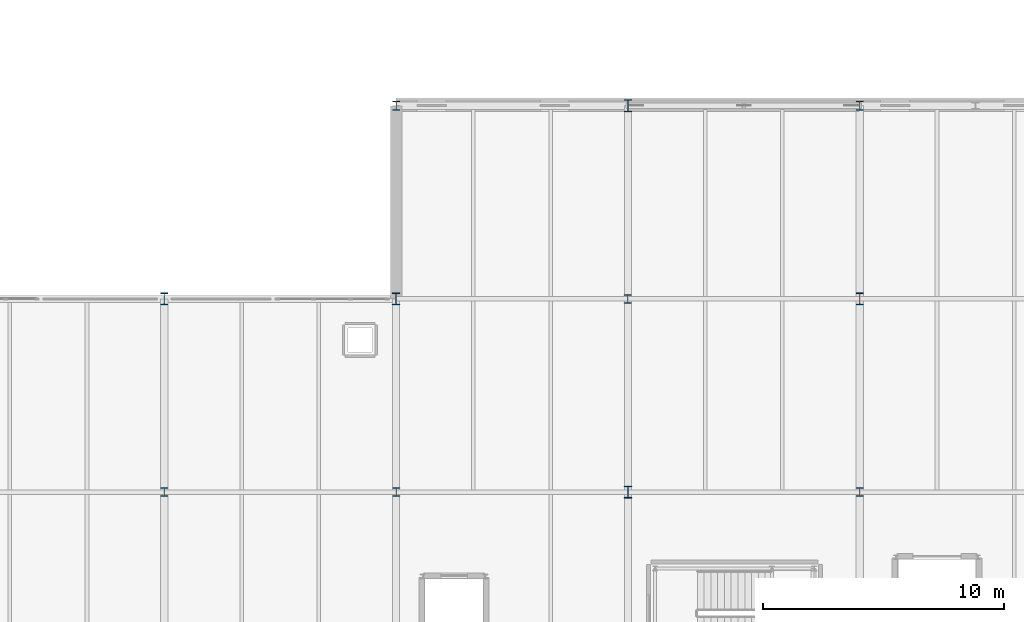
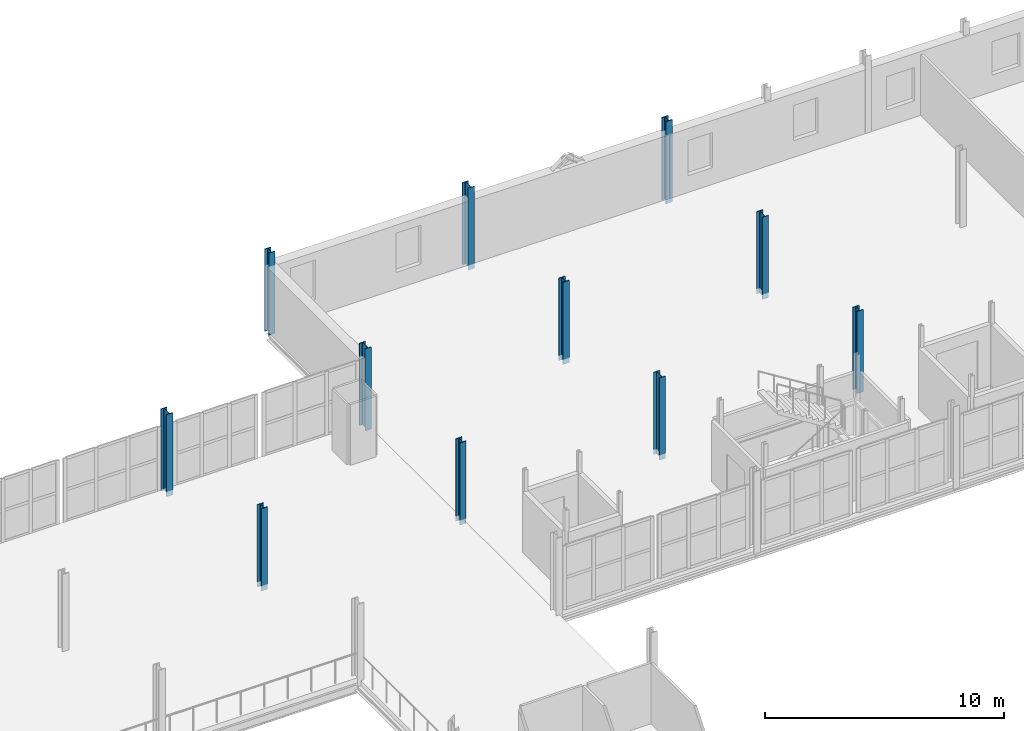
# One storey, part 22 of 78: 11 columns.
"""IFC4 building model written with IfcOpenShell, lengths in metres."""

from ifc_helpers import new_model, si_unit, direction, frame, origin, origin_2d, place, context, subcontext, project, spatial, i_section, extrude, material, material_profile, profile_set, type_object, element, save


model = new_model("IFC4")

# Units and contexts
model_context = context("Model", 3, precision=1e-05, world=origin(), true_north=direction((0.0, 1.0)))
body_context = subcontext(model_context, "Body", "Model", "MODEL_VIEW")
ifc_project = project(units=[si_unit("LENGTHUNIT", "METRE"), si_unit("AREAUNIT", "SQUARE_METRE"), si_unit("VOLUMEUNIT", "CUBIC_METRE"), si_unit("PLANEANGLEUNIT", "RADIAN"), si_unit("MASSUNIT", "GRAM", prefix="KILO")], contexts=[model_context])

# Site, building, storey
site_placement = place(None, origin())
site = spatial("IfcSite", under=ifc_project, at=site_placement, CompositionType="ELEMENT")
building_placement = place(site_placement, origin())
building = spatial("IfcBuilding", under=site, at=building_placement, Name="Alderhovde Museum", CompositionType="ELEMENT")
storey_placement = place(building_placement, frame((0.0, 0.0, 4.5)))
storey = spatial("IfcBuildingStorey", under=building, at=storey_placement, Name="L01", CompositionType="ELEMENT", Elevation=4.5)

# Columns
ifc_material_1 = material(Name="Steel S355J2", Category="steel")
ifc_material_profile_1 = material_profile(ifc_material_1, i_section(OverallWidth=0.300048828125, OverallDepth=0.5, WebThickness=0.014404296875, FlangeThickness=0.028076171875, FilletRadius=0.027099609375, at=origin_2d()), Name="HEB 500")
ifc_profile_set_1 = profile_set([ifc_material_profile_1], Name="Steel S355J2")
column_type_1 = type_object("IfcColumnType", Name="COL-HEB500", PredefinedType="COLUMN", material=ifc_profile_set_1)
for number, where, z_axis, x_axis, name in (
    (1, (105.60009765625, 88.0, -0.260009765625), (0.0, 0.0, 1.0), (1.0, 0.0, 0.0), "L01 Column (105.6, 88.0)"),
    (2, (115.199951171875, 88.0, -0.260009765625), (0.0, 0.0, 1.0), (1.0, 0.0, 0.0), "L01 Column (115.2, 88.0)"),
    (3, (124.800048828125, 80.0, -0.260009765625), (0.0, 0.0, 1.0), (1.0, 0.0, 0.0), "L01 Column (124.8, 80.0)"),
    (4, (124.800048828125, 96.0, -0.260009765625), (0.0, 0.0, 1.0), (1.0, 0.0, 0.0), "L01 Column (124.8, 96.0)"),
    (5, (134.39990234375, 88.0, -0.260009765625), (0.0, 0.0, 1.0), (1.0, 0.0, 0.0), "L01 Column (134.4, 88.0)"),
):
    element("IfcColumn", number, at=place(storey_placement, frame(where, z_axis=z_axis, x_axis=x_axis)), inside=storey, type_object=column_type_1, Name=name, PredefinedType="COLUMN", context=body_context, shape_type="SweptSolid", body=[
        extrude(i_section(OverallWidth=0.300048828125, OverallDepth=0.5, WebThickness=0.014404296875, FlangeThickness=0.028076171875, FilletRadius=0.027099609375, at=origin_2d()), origin(), (0.0, 0.0, 1.0), 4.199951171875),
    ])
ifc_material_2 = material(Name="Steel S355J2", Category="steel")
ifc_material_profile_2 = material_profile(ifc_material_2, i_section(OverallWidth=0.30908203125, OverallDepth=0.376953125, WebThickness=0.02099609375, FlangeThickness=0.0400390625, FilletRadius=0.027099609375, at=origin_2d()), Name="HEM 340")
ifc_profile_set_2 = profile_set([ifc_material_profile_2], Name="Steel S355J2")
column_type_2 = type_object("IfcColumnType", Name="COL-HEM340", PredefinedType="COLUMN", material=ifc_profile_set_2)
for number, where, z_axis, x_axis, name in (
    (6, (105.60009765625, 80.0, -0.260009765625), (0.0, 0.0, 1.0), (1.0, 0.0, 0.0), "L01 Column (105.6, 80.0)"),
    (7, (115.199951171875, 80.0, -0.260009765625), (0.0, 0.0, 1.0), (1.0, 0.0, 0.0), "L01 Column (115.2, 80.0)"),
    (8, (115.199951171875, 96.0, -0.260009765625), (0.0, 0.0, 1.0), (1.0, 0.0, 0.0), "L01 Column (115.2, 96.0)"),
    (9, (124.800048828125, 88.0, -0.260009765625), (0.0, 0.0, 1.0), (1.0, 0.0, 0.0), "L01 Column (124.8, 88.0)"),
    (10, (134.39990234375, 80.0, -0.260009765625), (0.0, 0.0, 1.0), (1.0, 0.0, 0.0), "L01 Column (134.4, 80.0)"),
    (11, (134.39990234375, 96.0, -0.260009765625), (0.0, 0.0, 1.0), (1.0, 0.0, 0.0), "L01 Column (134.4, 96.0)"),
):
    element("IfcColumn", number, at=place(storey_placement, frame(where, z_axis=z_axis, x_axis=x_axis)), inside=storey, type_object=column_type_2, Name=name, PredefinedType="COLUMN", context=body_context, shape_type="SweptSolid", body=[
        extrude(i_section(OverallWidth=0.30908203125, OverallDepth=0.376953125, WebThickness=0.02099609375, FlangeThickness=0.0400390625, FilletRadius=0.027099609375, at=origin_2d()), origin(), (0.0, 0.0, 1.0), 4.199951171875),
    ])

save(model, "model.ifc")
